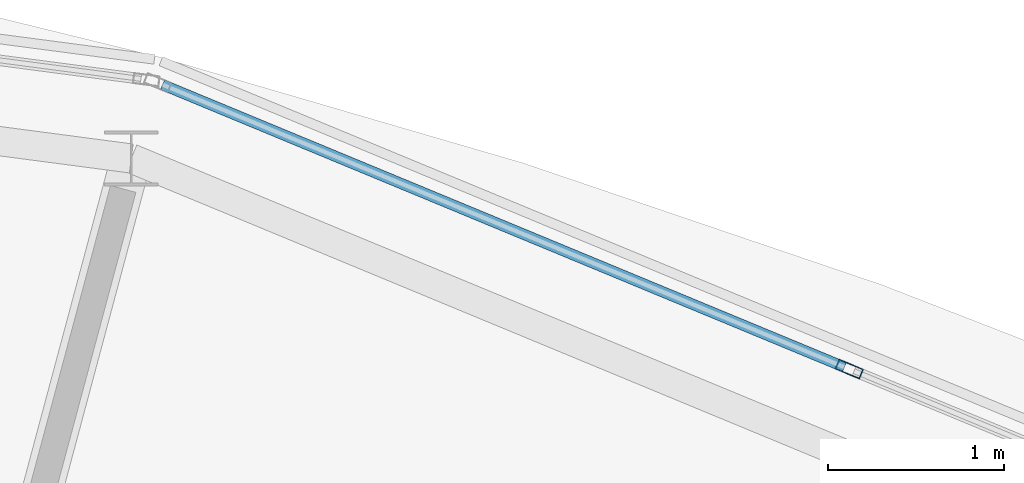
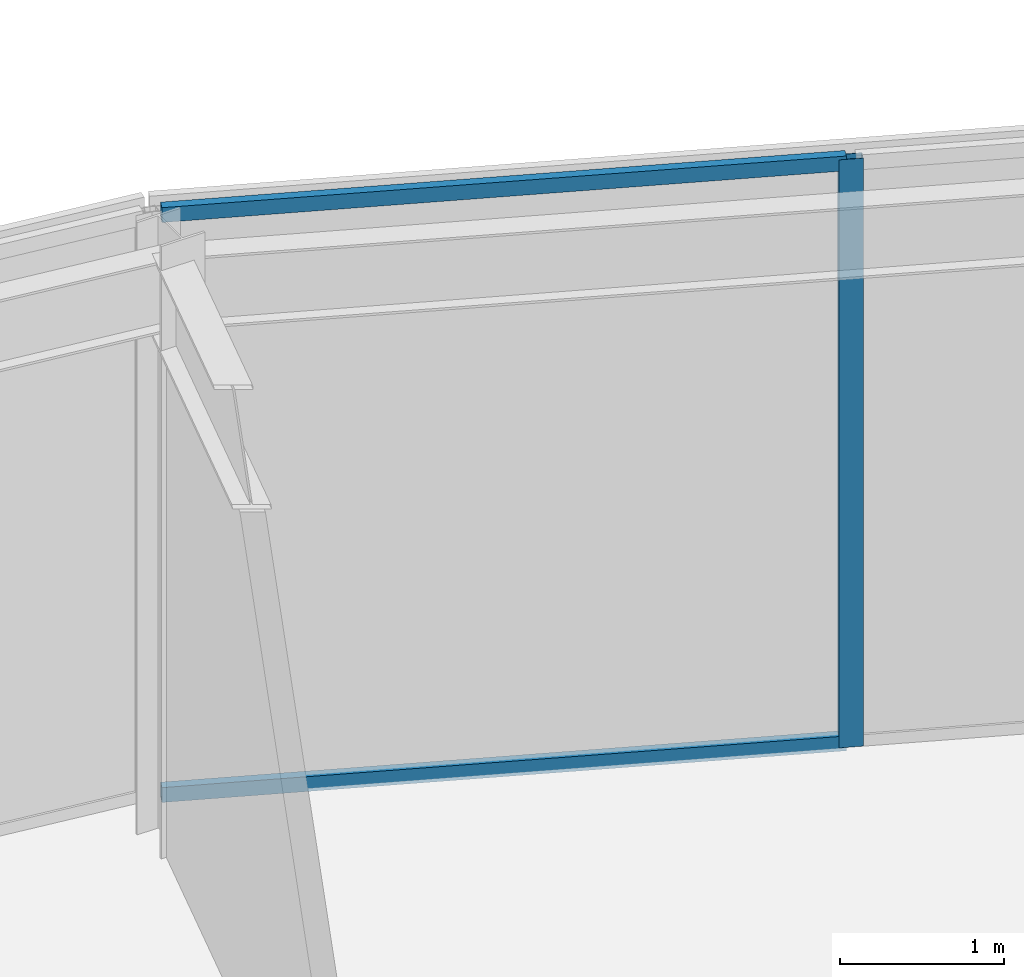
# One storey, part 65 of 116: 3 members, 1 element without a shape of its own.
"""IFC4 building model written with IfcOpenShell, lengths in metres."""

from ifc_helpers import new_model, si_unit, direction, frame, origin, origin_2d, place, context, subcontext, project, spatial, hollow_rectangle, extrude, material, material_profile, profile_set, type_object, element, aggregate, save


model = new_model("IFC4")

# Units and contexts
model_context = context("Model", 3, precision=1e-05, world=origin(), true_north=direction((0.0, 1.0)))
body_context = subcontext(model_context, "Body", "Model", "MODEL_VIEW")
ifc_project = project(units=[si_unit("LENGTHUNIT", "METRE"), si_unit("AREAUNIT", "SQUARE_METRE"), si_unit("VOLUMEUNIT", "CUBIC_METRE"), si_unit("PLANEANGLEUNIT", "RADIAN"), si_unit("MASSUNIT", "GRAM", prefix="KILO")], contexts=[model_context])

# Site, building, storey
site_placement = place(None, origin())
site = spatial("IfcSite", under=ifc_project, at=site_placement, CompositionType="ELEMENT")
building_placement = place(site_placement, origin())
building = spatial("IfcBuilding", under=site, at=building_placement, Name="Almandine Court Research Institute", CompositionType="ELEMENT")
storey_placement = place(building_placement, frame((0.0, 0.0, 14.35009765625)))
storey = spatial("IfcBuildingStorey", under=building, at=storey_placement, Name="L03", CompositionType="ELEMENT", Elevation=14.35009765625)

# Curtain wall, members
ifc_material_1 = material(Name="Unitised Curtain Wall Framing and Solar Glazing", Category="glass")
curtain_wall_type = type_object("IfcCurtainWallType", Name="CW-CWG-20", PredefinedType="USERDEFINED", material=ifc_material_1)
curtain_wall_placement = place(storey_placement, origin())
curtain_wall = element("IfcCurtainWall", 1, at=curtain_wall_placement, inside=storey, type_object=curtain_wall_type, Name="L03 Stacked-Ring Drum Outer Unitised Glazing 04", ObjectType="UNITISED GLAZING", PredefinedType="USERDEFINED")
ifc_material_2 = material(Name="Anodised Aluminium AW-6063-T6", Category="aluminium")
ifc_material_profile_1 = material_profile(ifc_material_2, hollow_rectangle(XDim=0.06005859375, YDim=0.14990234375, WallThickness=0.00390625, at=origin_2d()), Name="ALU RHS 60x150x4")
ifc_profile_set_1 = profile_set([ifc_material_profile_1], Name="Anodised Aluminium AW-6063-T6")
member_type_1 = type_object("IfcMemberType", Name="CWMul-60x150", PredefinedType="MULLION", material=ifc_profile_set_1)
member_1_placement = place(storey_placement, frame((103.7451171875, 102.034423828125, 0.0), z_axis=(0.0, 0.0, 1.0), x_axis=(0.382662689242, 0.923888124321, 0.0)))
member_1 = element("IfcMember", 2, at=member_1_placement, type_object=member_type_1, Name="CWG-20 mullion 2", PredefinedType="MULLION", context=body_context, shape_type="SweptSolid", body=[
    extrude(hollow_rectangle(XDim=0.06005859375, YDim=0.14990234375, WallThickness=0.00390625, at=origin_2d()), origin(), (0.0, 0.0, 1.0), 4.369873046875),
])
ifc_material_profile_2 = material_profile(ifc_material_2, hollow_rectangle(XDim=0.06005859375, YDim=0.110107421875, WallThickness=0.00390625, at=origin_2d()), Name="ALU RHS 60x110x4")
ifc_profile_set_2 = profile_set([ifc_material_profile_2], Name="Anodised Aluminium AW-6063-T6")
member_type_2 = type_object("IfcMemberType", Name="CWTrn-60x110", PredefinedType="NOTDEFINED", material=ifc_profile_set_2)
member_2_placement = place(storey_placement, frame((99.83447265625, 103.654052734375, 0.02978515625), z_axis=(0.923892933282, -0.382651078441, 0.0), x_axis=(0.382651078441, 0.923892933282, 0.0)))
member_2 = element("IfcMember", 3, at=member_2_placement, type_object=member_type_2, Name="CWG-20 transom 1.1", ObjectType="TRANSOM", PredefinedType="USERDEFINED", context=body_context, shape_type="SweptSolid", body=[
    extrude(hollow_rectangle(XDim=0.06005859375, YDim=0.110107421875, WallThickness=0.00390625, at=origin_2d()), origin(), (0.0, 0.0, 1.0), 4.20263671875),
])
member_3_placement = place(storey_placement, frame((99.83447265625, 103.654052734375, 4.33984375), z_axis=(0.923892933282, -0.382651078441, 0.0), x_axis=(0.382651078441, 0.923892933282, 0.0)))
member_3 = element("IfcMember", 4, at=member_3_placement, type_object=member_type_2, Name="CWG-20 transom 1.2", ObjectType="TRANSOM", PredefinedType="USERDEFINED", context=body_context, shape_type="SweptSolid", body=[
    extrude(hollow_rectangle(XDim=0.06005859375, YDim=0.110107421875, WallThickness=0.00390625, at=origin_2d()), origin(), (0.0, 0.0, 1.0), 4.20263671875),
])
aggregate(curtain_wall, [member_1, member_2, member_3])

save(model, "model.ifc")
